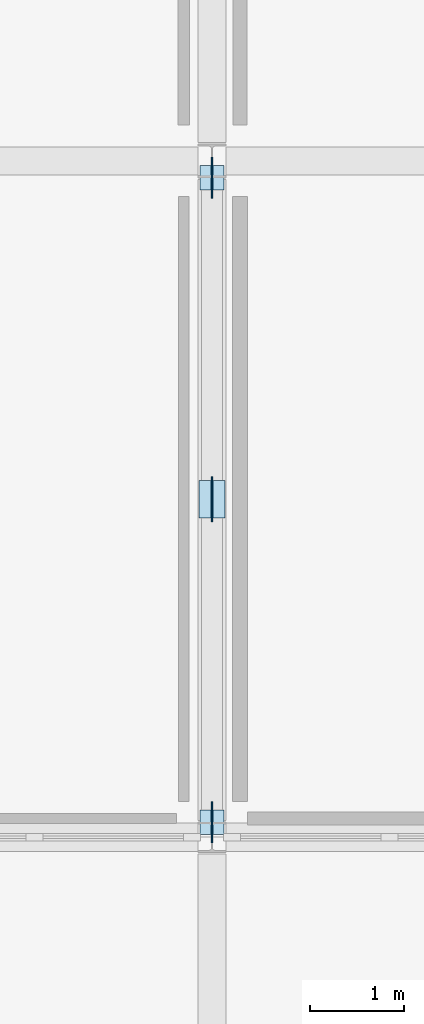
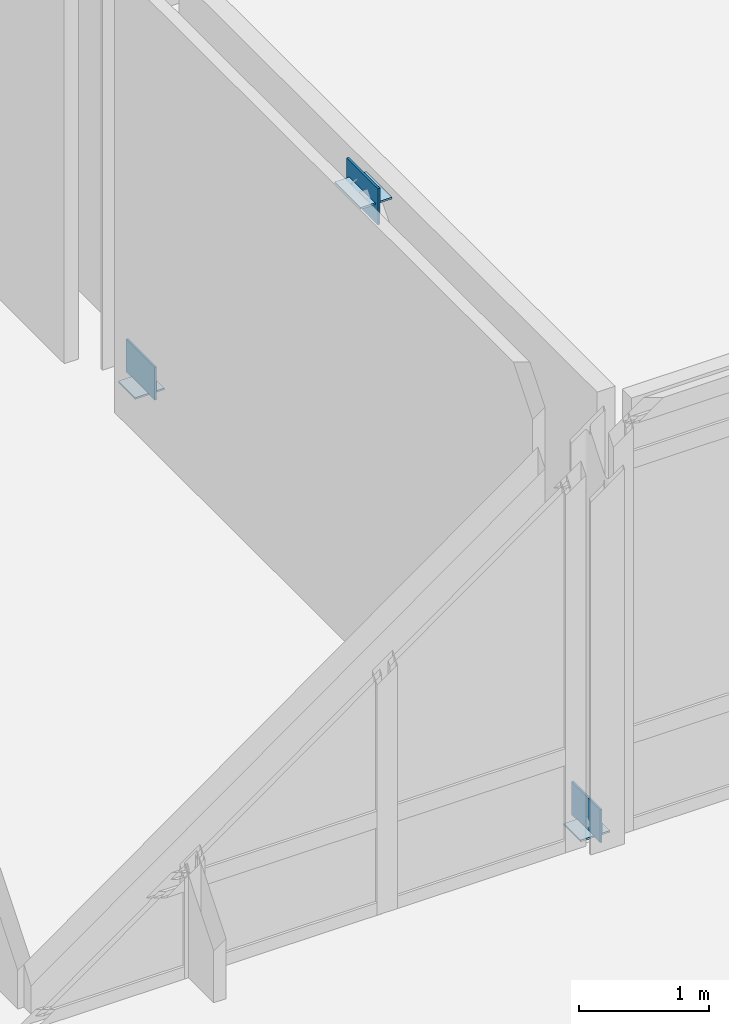
# One storey, part 34 of 53: 6 plates.
"""IFC4 building model written with IfcOpenShell, lengths in metres."""

from ifc_helpers import new_model, si_unit, direction, frame, origin, origin_2d, place, context, subcontext, project, spatial, rectangle, extrude, material, layer, layer_set, type_object, element, save


model = new_model("IFC4")

# Units and contexts
model_context = context("Model", 3, precision=1e-05, world=origin(), true_north=direction((0.0, 1.0)))
body_context = subcontext(model_context, "Body", "Model", "MODEL_VIEW")
ifc_project = project(units=[si_unit("LENGTHUNIT", "METRE"), si_unit("AREAUNIT", "SQUARE_METRE"), si_unit("VOLUMEUNIT", "CUBIC_METRE"), si_unit("PLANEANGLEUNIT", "RADIAN"), si_unit("MASSUNIT", "GRAM", prefix="KILO")], contexts=[model_context])

# Site, building, storey
site_placement = place(None, origin())
site = spatial("IfcSite", under=ifc_project, at=site_placement, CompositionType="ELEMENT")
building_placement = place(site_placement, origin())
building = spatial("IfcBuilding", under=site, at=building_placement, Name="Zarrinpeak Specialist Clinic", CompositionType="ELEMENT")
storey_placement = place(building_placement, frame((0.0, 0.0, 14.0)))
storey = spatial("IfcBuildingStorey", under=building, at=storey_placement, Name="L03", CompositionType="ELEMENT", Elevation=14.0)

# Plates
ifc_material = material(Name="Steel S355", Category="steel")
ifc_layer_1 = layer(ifc_material, 0.01611328125)
ifc_layer_set_1 = layer_set([ifc_layer_1], Name="Steel S355")
plate_type_1 = type_object("IfcPlateType", Name="PL-CAP219", PredefinedType="SHEET", material=ifc_layer_set_1)
for number, where, z_axis, x_axis, name in (
    (1, (50.39990234375, 89.360107421875, 0.0009765625), (0.0, 0.0, 1.0), (1.0, 0.0, 0.0), "V6 L03 Hollow Brace Foot Cap Plate A"),
    (2, (50.39990234375, 96.219970703125, 0.0009765625), (0.0, 0.0, 1.0), (1.0, 0.0, 0.0), "V6 L03 Hollow Brace Foot Cap Plate B"),
):
    element("IfcPlate", number, at=place(storey_placement, frame(where, z_axis=z_axis, x_axis=x_axis)), inside=storey, type_object=plate_type_1, Name=name, PredefinedType="SHEET", context=body_context, shape_type="SweptSolid", body=[
        extrude(rectangle(XDim=0.260009765625, YDim=0.260009765625, at=origin_2d()), origin(), (0.0, 0.0, 1.0), 0.01611328125),
    ])
ifc_layer_2 = layer(ifc_material, 0.02001953125)
ifc_layer_set_2 = layer_set([ifc_layer_2], Name="Steel S355")
plate_type_2 = type_object("IfcPlateType", Name="PL-GN01", PredefinedType="SHEET", material=ifc_layer_set_2)
plate_1_placement = place(storey_placement, frame((50.39990234375, 92.800048828125, 3.73974609375), z_axis=(0.0, 0.0, 1.0), x_axis=(1.0, 0.0, 0.0)))
element("IfcPlate", 3, at=plate_1_placement, inside=storey, type_object=plate_type_2, Name="V6 L03 Chevron Gusset Node Plate GN-V6-L03", PredefinedType="SHEET", context=body_context, shape_type="SweptSolid", body=[
    extrude(rectangle(XDim=0.02001953125, YDim=0.47998046875, at=origin_2d()), origin(), (0.0, 0.0, 1.0), 0.340087890625),
])
ifc_layer_3 = layer(ifc_material, 0.01611328125)
ifc_layer_set_3 = layer_set([ifc_layer_3], Name="Steel S355")
plate_type_3 = type_object("IfcPlateType", Name="PL-GN02", PredefinedType="SHEET", material=ifc_layer_set_3)
plate_2_placement = place(storey_placement, frame((50.39990234375, 92.800048828125, 3.907958984375), z_axis=(0.0, 0.0, 1.0), x_axis=(1.0, 0.0, 0.0)))
element("IfcPlate", 4, at=plate_2_placement, inside=storey, type_object=plate_type_3, Name="V6 L03 Chevron Apex Seal Plate GNCAP-V6-L03", PredefinedType="SHEET", context=body_context, shape_type="SweptSolid", body=[
    extrude(rectangle(XDim=0.280029296875, YDim=0.39990234375, at=origin_2d()), origin(), (0.0, 0.0, 1.0), 0.01611328125),
])
ifc_layer_4 = layer(ifc_material, 0.01806640625)
ifc_layer_set_4 = layer_set([ifc_layer_4], Name="Steel S355")
plate_type_4 = type_object("IfcPlateType", Name="PL-GN03", PredefinedType="SHEET", material=ifc_layer_set_4)
for number, where, z_axis, x_axis, name in (
    (5, (50.39990234375, 89.360107421875, 0.0048828125), (0.0, 0.0, 1.0), (1.0, 0.0, 0.0), "V6 L03 Brace Foot Gusset Plate GNF-V6-L03-A"),
    (6, (50.39990234375, 96.219970703125, 0.0048828125), (0.0, 0.0, 1.0), (1.0, 0.0, 0.0), "V6 L03 Brace Foot Gusset Plate GNF-V6-L03-B"),
):
    element("IfcPlate", number, at=place(storey_placement, frame(where, z_axis=z_axis, x_axis=x_axis)), inside=storey, type_object=plate_type_4, Name=name, PredefinedType="SHEET", context=body_context, shape_type="SweptSolid", body=[
        extrude(rectangle(XDim=0.01806640625, YDim=0.43994140625, at=origin_2d()), origin(), (0.0, 0.0, 1.0), 0.31005859375),
    ])

save(model, "model.ifc")
